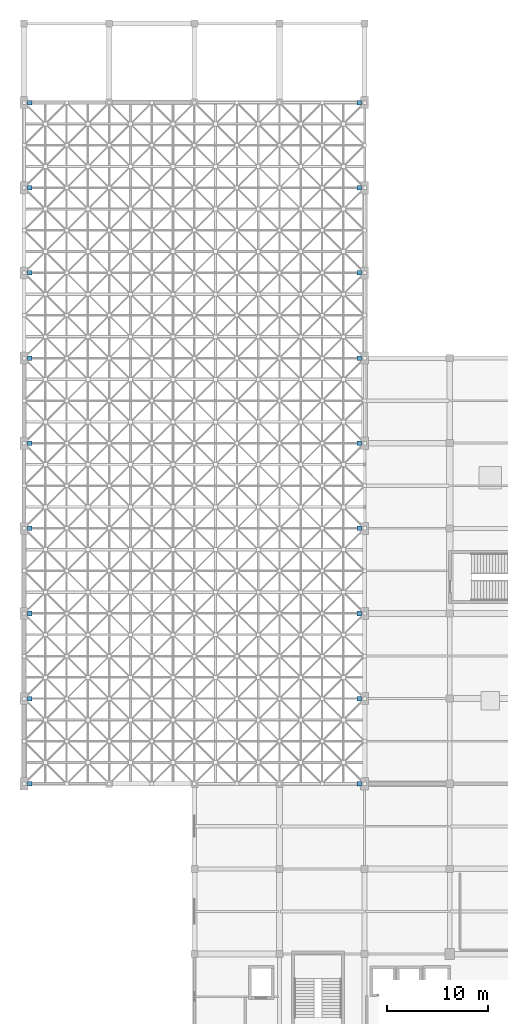
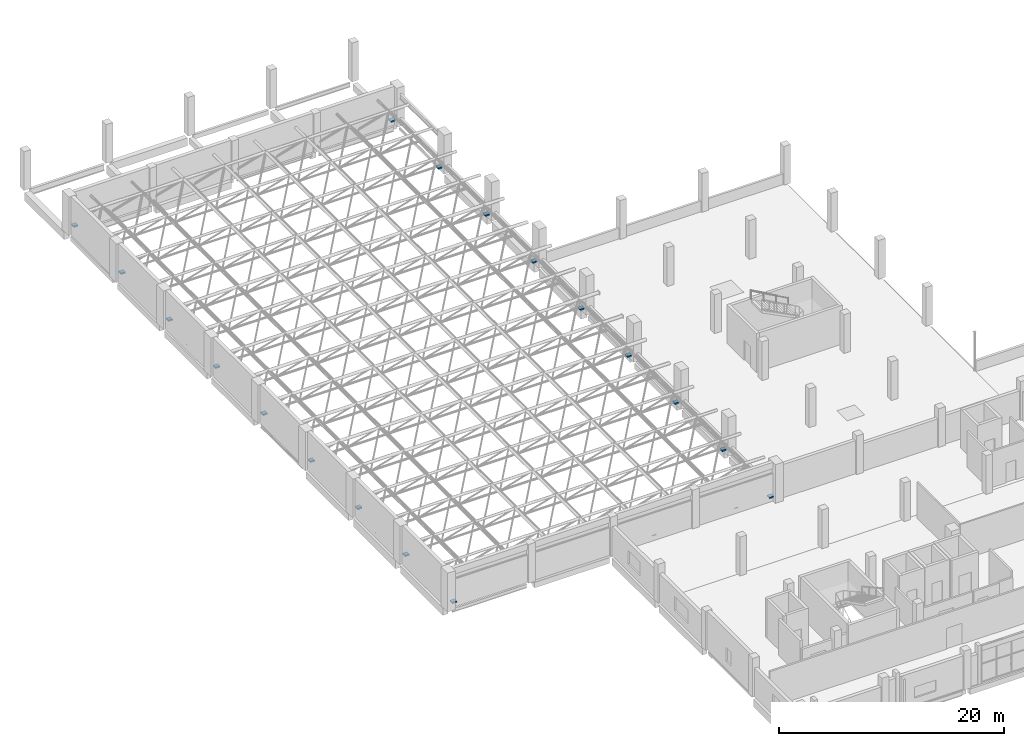
# One storey, part 60 of 64: 18 discrete accessories.
"""IFC4 building model written with IfcOpenShell, lengths in metres."""

from ifc_helpers import new_model, si_unit, derived_unit, direction, frame, origin, origin_2d, place, context, subcontext, project, spatial, rectangle, extrude, material, type_object, element, save


model = new_model("IFC4")

# Units and contexts
model_context = context("Model", 3, precision=1e-05, world=origin(), true_north=direction((0.0, 1.0)))
body_context = subcontext(model_context, "Body", "Model", "MODEL_VIEW")
ifc_project = project(units=[si_unit("LENGTHUNIT", "METRE"), si_unit("AREAUNIT", "SQUARE_METRE"), si_unit("VOLUMEUNIT", "CUBIC_METRE"), si_unit("PLANEANGLEUNIT", "RADIAN"), si_unit("MASSUNIT", "GRAM", prefix="KILO"), derived_unit("THERMALTRANSMITTANCEUNIT", [(si_unit("POWERUNIT", "WATT"), 1), (si_unit("LENGTHUNIT", "METRE"), -2), (si_unit("THERMODYNAMICTEMPERATUREUNIT", "KELVIN"), -1)])], contexts=[model_context])

# Site, building, storey
site_placement = place(None, origin())
site = spatial("IfcSite", under=ifc_project, at=site_placement, CompositionType="ELEMENT")
building_placement = place(site_placement, origin())
building = spatial("IfcBuilding", under=site, at=building_placement, Name="Barrovel Congress Hotel", CompositionType="ELEMENT")
storey_placement = place(building_placement, frame((0.0, 0.0, 14.10009765625)))
storey = spatial("IfcBuildingStorey", under=building, at=storey_placement, Name="L03", CompositionType="ELEMENT", Elevation=14.10009765625)

# Discrete accessories
ifc_material = material(Name="Steel ASTM A992 Grade 50", Category="steel")
discrete_accessory_type_1 = type_object("IfcDiscreteAccessoryType", Name="BRG-SHOE-450", PredefinedType="BRACKET", material=ifc_material)
for number, where, z_axis, x_axis, name in (
    (1, (33.050048828125, 37.800048828125, 0.39990234375), (0.0, 0.0, 1.0), (1.0, 0.0, 0.0), "Space Frame Guided Sliding Bearing Shoe 34-38"),
    (2, (33.050048828125, 46.199951171875, 0.39990234375), (0.0, 0.0, 1.0), (1.0, 0.0, 0.0), "Space Frame Guided Sliding Bearing Shoe 34-46"),
    (3, (33.050048828125, 54.60009765625, 0.39990234375), (0.0, 0.0, 1.0), (1.0, 0.0, 0.0), "Space Frame Guided Sliding Bearing Shoe 34-55"),
    (4, (33.050048828125, 63.0, 0.39990234375), (0.0, 0.0, 1.0), (1.0, 0.0, 0.0), "Space Frame Guided Sliding Bearing Shoe 34-63"),
    (5, (33.050048828125, 71.39990234375, 0.39990234375), (0.0, 0.0, 1.0), (1.0, 0.0, 0.0), "Space Frame Guided Sliding Bearing Shoe 34-71"),
    (6, (33.050048828125, 79.800048828125, 0.39990234375), (0.0, 0.0, 1.0), (1.0, 0.0, 0.0), "Space Frame Guided Sliding Bearing Shoe 34-80"),
    (7, (33.050048828125, 88.199951171875, 0.39990234375), (0.0, 0.0, 1.0), (1.0, 0.0, 0.0), "Space Frame Guided Sliding Bearing Shoe 34-88"),
    (8, (33.050048828125, 96.60009765625, 0.39990234375), (0.0, 0.0, 1.0), (1.0, 0.0, 0.0), "Space Frame Guided Sliding Bearing Shoe 34-97"),
    (9, (33.050048828125, 105.0, 0.39990234375), (0.0, 0.0, 1.0), (1.0, 0.0, 0.0), "Space Frame Guided Sliding Bearing Shoe 34-105"),
):
    element("IfcDiscreteAccessory", number, at=place(storey_placement, frame(where, z_axis=z_axis, x_axis=x_axis)), inside=storey, type_object=discrete_accessory_type_1, Name=name, PredefinedType="BRACKET", context=body_context, shape_type="SweptSolid", body=[
        extrude(rectangle(XDim=0.449951171875, YDim=0.449951171875, at=origin_2d()), origin(), (0.0, 0.0, 1.0), 0.14990234375),
    ])
discrete_accessory_type_2 = type_object("IfcDiscreteAccessoryType", Name="BRG-SHOE-450-FX", PredefinedType="BRACKET", material=ifc_material)
for number, where, z_axis, x_axis, name in (
    (10, (0.550048828125, 37.800048828125, 0.39990234375), (0.0, 0.0, 1.0), (1.0, 0.0, 0.0), "Space Frame Fixed Pinned Bearing Shoe 0-38"),
    (11, (0.550048828125, 46.199951171875, 0.39990234375), (0.0, 0.0, 1.0), (1.0, 0.0, 0.0), "Space Frame Fixed Pinned Bearing Shoe 0-46"),
    (12, (0.550048828125, 54.60009765625, 0.39990234375), (0.0, 0.0, 1.0), (1.0, 0.0, 0.0), "Space Frame Fixed Pinned Bearing Shoe 0-55"),
    (13, (0.550048828125, 63.0, 0.39990234375), (0.0, 0.0, 1.0), (1.0, 0.0, 0.0), "Space Frame Fixed Pinned Bearing Shoe 0-63"),
    (14, (0.550048828125, 71.39990234375, 0.39990234375), (0.0, 0.0, 1.0), (1.0, 0.0, 0.0), "Space Frame Fixed Pinned Bearing Shoe 0-71"),
    (15, (0.550048828125, 79.800048828125, 0.39990234375), (0.0, 0.0, 1.0), (1.0, 0.0, 0.0), "Space Frame Fixed Pinned Bearing Shoe 0-80"),
    (16, (0.550048828125, 88.199951171875, 0.39990234375), (0.0, 0.0, 1.0), (1.0, 0.0, 0.0), "Space Frame Fixed Pinned Bearing Shoe 0-88"),
    (17, (0.550048828125, 96.60009765625, 0.39990234375), (0.0, 0.0, 1.0), (1.0, 0.0, 0.0), "Space Frame Fixed Pinned Bearing Shoe 0-97"),
    (18, (0.550048828125, 105.0, 0.39990234375), (0.0, 0.0, 1.0), (1.0, 0.0, 0.0), "Space Frame Fixed Pinned Bearing Shoe 0-105"),
):
    element("IfcDiscreteAccessory", number, at=place(storey_placement, frame(where, z_axis=z_axis, x_axis=x_axis)), inside=storey, type_object=discrete_accessory_type_2, Name=name, PredefinedType="BRACKET", context=body_context, shape_type="SweptSolid", body=[
        extrude(rectangle(XDim=0.449951171875, YDim=0.449951171875, at=origin_2d()), origin(), (0.0, 0.0, 1.0), 0.14990234375),
    ])

save(model, "model.ifc")
